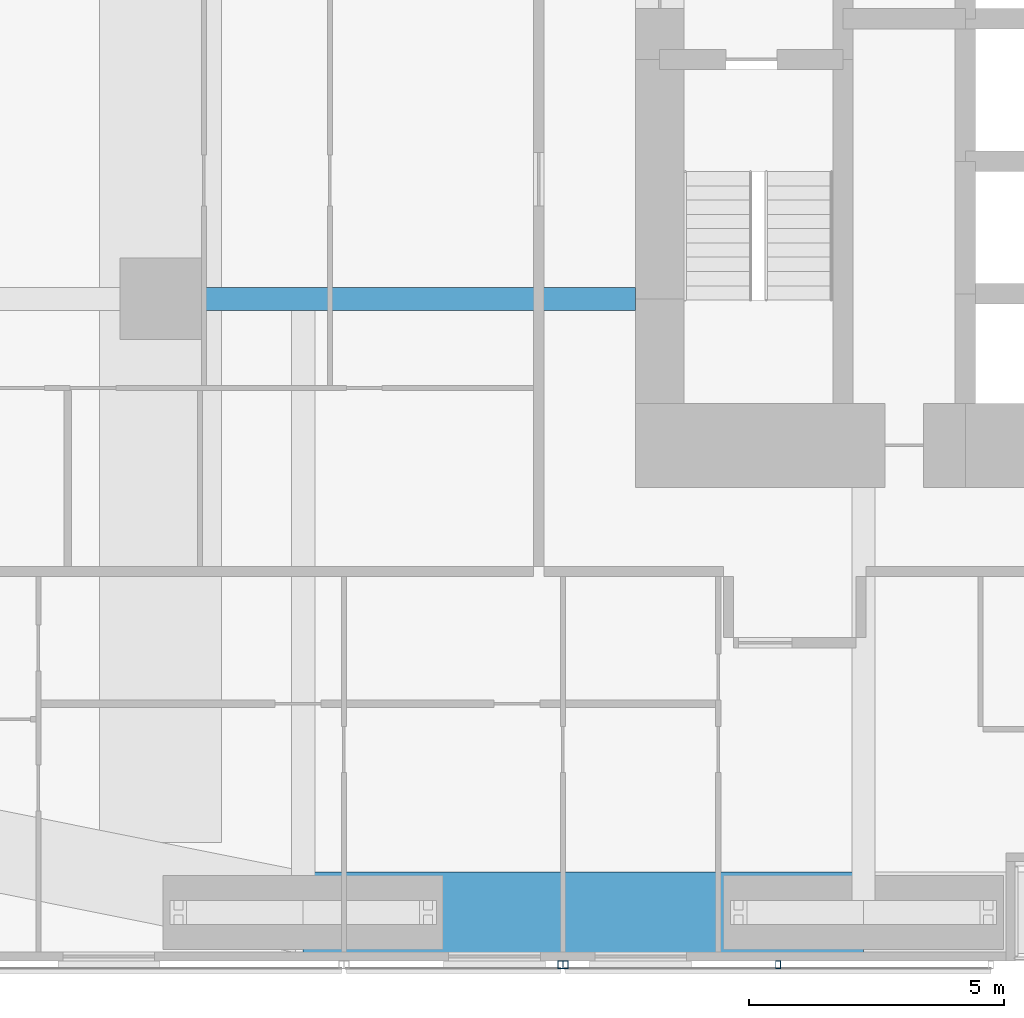
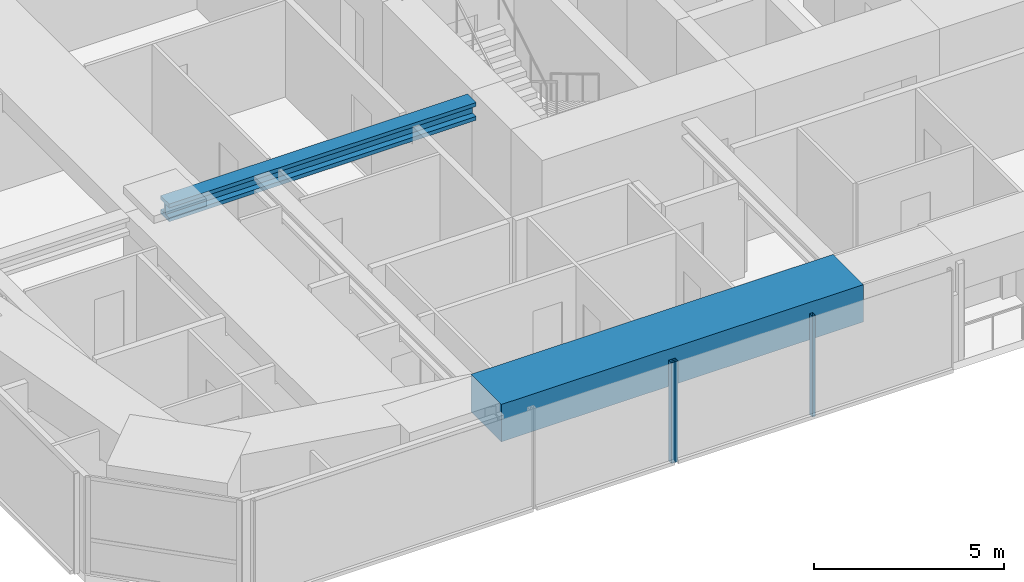
# One storey, part 4 of 24: 3 members, 2 beams, 2 elements without a shape of their own.
"""IFC4 building model written with IfcOpenShell, lengths in metres."""

from ifc_helpers import new_model, si_unit, direction, frame, origin, origin_2d, place, context, subcontext, project, spatial, rectangle, hollow_rectangle, i_section, extrude, material, material_profile, profile_set, type_object, element, aggregate, save


model = new_model("IFC4")

# Units and contexts
model_context = context("Model", 3, precision=1e-05, world=origin(), true_north=direction((0.0, 1.0)))
body_context = subcontext(model_context, "Body", "Model", "MODEL_VIEW")
ifc_project = project(units=[si_unit("LENGTHUNIT", "METRE"), si_unit("AREAUNIT", "SQUARE_METRE"), si_unit("VOLUMEUNIT", "CUBIC_METRE"), si_unit("PLANEANGLEUNIT", "RADIAN"), si_unit("MASSUNIT", "GRAM", prefix="KILO")], contexts=[model_context])

# Site, building, storey
site_placement = place(None, origin())
site = spatial("IfcSite", under=ifc_project, at=site_placement, CompositionType="ELEMENT")
building_placement = place(site_placement, origin())
building = spatial("IfcBuilding", under=site, at=building_placement, Name="Jalousie Tower", CompositionType="ELEMENT")
storey_placement = place(building_placement, frame((0.0, 0.0, 54.5)))
storey = spatial("IfcBuildingStorey", under=building, at=storey_placement, Name="L14", CompositionType="ELEMENT", Elevation=54.5)

# Beams
ifc_material_1 = material(Name="Steel ASTM A992 Grade 50", Category="steel")
ifc_material_profile_1 = material_profile(ifc_material_1, i_section(OverallWidth=0.45458984375, OverallDepth=0.569091796875, WebThickness=0.077880859375, FlangeThickness=0.124755859375, at=origin_2d()), Name="W14X730")
ifc_profile_set_1 = profile_set([ifc_material_profile_1], Name="Steel ASTM A992 Grade 50")
beam_type_1 = type_object("IfcBeamType", Name="LEAN COLLECTOR W14X730", PredefinedType="BEAM", material=ifc_profile_set_1)
beam_1_placement = place(storey_placement, frame((10.199951171875, 13.0, 2.825439453125), z_axis=(1.0, 0.0, 0.0), x_axis=(0.0, 1.0, 0.0)))
element("IfcBeam", 1, at=beam_1_placement, inside=storey, type_object=beam_type_1, Name="Lean collector under L15", PredefinedType="BEAM", context=body_context, shape_type="SweptSolid", body=[
    extrude(i_section(OverallWidth=0.45458984375, OverallDepth=0.569091796875, WebThickness=0.077880859375, FlangeThickness=0.124755859375, at=origin_2d()), origin(), (0.0, 0.0, 1.0), 9.324951171875),
])
ifc_material_2 = material(Name="Concrete f'c 40 MPa", Category="concrete")
ifc_material_profile_2 = material_profile(ifc_material_2, rectangle(XDim=1.60009765625, YDim=1.199951171875, at=origin_2d()), Name="RC 1600x1200")
ifc_profile_set_2 = profile_set([ifc_material_profile_2], Name="Concrete f'c 40 MPa")
beam_type_2 = type_object("IfcBeamType", Name="RC BEAM 1600x1200", PredefinedType="BEAM", material=ifc_profile_set_2)
beam_2_placement = place(storey_placement, frame((13.0, 0.949951171875, 2.75), z_axis=(1.0, 0.0, 0.0), x_axis=(0.0, 1.0, 0.0)))
element("IfcBeam", 2, at=beam_2_placement, inside=storey, type_object=beam_type_2, Name="Edge band beam 02-03 under L15", PredefinedType="BEAM", context=body_context, shape_type="SweptSolid", body=[
    extrude(rectangle(XDim=1.60009765625, YDim=1.199951171875, at=origin_2d()), origin(), (0.0, 0.0, 1.0), 11.0),
])

# Curtain wall, member
ifc_material_3 = material(Name="Perforated aluminium sheet", Category="aluminium")
curtain_wall_type = type_object("IfcCurtainWallType", Name="SOLAR SCREEN SS-1", PredefinedType="USERDEFINED", material=ifc_material_3)
curtain_wall_1_placement = place(storey_placement, origin())
curtain_wall_1 = element("IfcCurtainWall", 3, at=curtain_wall_1_placement, inside=storey, type_object=curtain_wall_type, Name="Solar screen L14", ObjectType="SOLAR SCREEN SS-1", PredefinedType="USERDEFINED")
ifc_material_4 = material(Name="Steel ASTM A500 Grade C", Category="steel")
ifc_material_profile_3 = material_profile(ifc_material_4, hollow_rectangle(XDim=0.1015625, YDim=0.15234375, WallThickness=0.00634765625, at=origin_2d()), Name="HSS6X4X1/4")
ifc_profile_set_3 = profile_set([ifc_material_profile_3], Name="Steel ASTM A500 Grade C")
member_type = type_object("IfcMemberType", Name="SOLAR SCREEN SS-1 MULLION", PredefinedType="MULLION", material=ifc_profile_set_3)
member_1_placement = place(storey_placement, frame((18.050048828125, -0.0712890625, -0.1201171875), z_axis=(0.0, 0.0, 1.0), x_axis=(1.0, 0.0, 0.0)))
member_1 = element("IfcMember", 4, at=member_1_placement, type_object=member_type, Name="SS1 post 2", PredefinedType="MULLION", context=body_context, shape_type="SweptSolid", body=[
    extrude(hollow_rectangle(XDim=0.1015625, YDim=0.15234375, WallThickness=0.00634765625, at=origin_2d()), origin(), (0.0, 0.0, 1.0), 3.230224609375),
])
aggregate(curtain_wall_1, [member_1])

# Curtain wall, members
curtain_wall_2_placement = place(storey_placement, origin())
curtain_wall_2 = element("IfcCurtainWall", 5, at=curtain_wall_2_placement, inside=storey, type_object=curtain_wall_type, Name="Solar screen L14", ObjectType="SOLAR SCREEN SS-1", PredefinedType="USERDEFINED")
member_2_placement = place(storey_placement, frame((18.14990234375, -0.0712890625, -0.1201171875), z_axis=(0.0, 0.0, 1.0), x_axis=(1.0, 0.0, 0.0)))
member_2 = element("IfcMember", 6, at=member_2_placement, type_object=member_type, Name="SS1 post 1", PredefinedType="MULLION", context=body_context, shape_type="SweptSolid", body=[
    extrude(hollow_rectangle(XDim=0.1015625, YDim=0.15234375, WallThickness=0.00634765625, at=origin_2d()), origin(), (0.0, 0.0, 1.0), 3.230224609375),
])
member_3_placement = place(storey_placement, frame((22.324951171875, -0.0712890625, -0.1201171875), z_axis=(0.0, 0.0, 1.0), x_axis=(1.0, 0.0, 0.0)))
member_3 = element("IfcMember", 7, at=member_3_placement, type_object=member_type, Name="SS1 post 2", PredefinedType="MULLION", context=body_context, shape_type="SweptSolid", body=[
    extrude(hollow_rectangle(XDim=0.1015625, YDim=0.15234375, WallThickness=0.00634765625, at=origin_2d()), origin(), (0.0, 0.0, 1.0), 3.230224609375),
])
aggregate(curtain_wall_2, [member_2, member_3])

save(model, "model.ifc")
